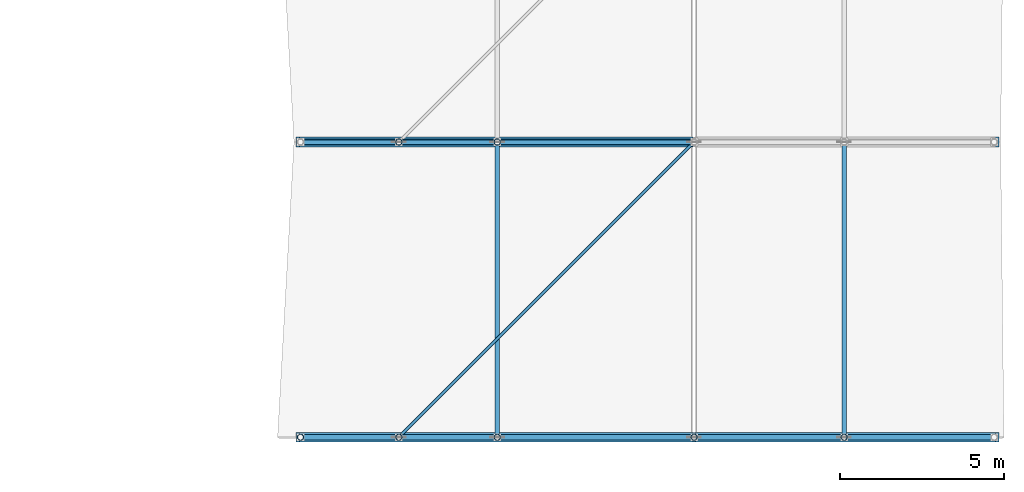
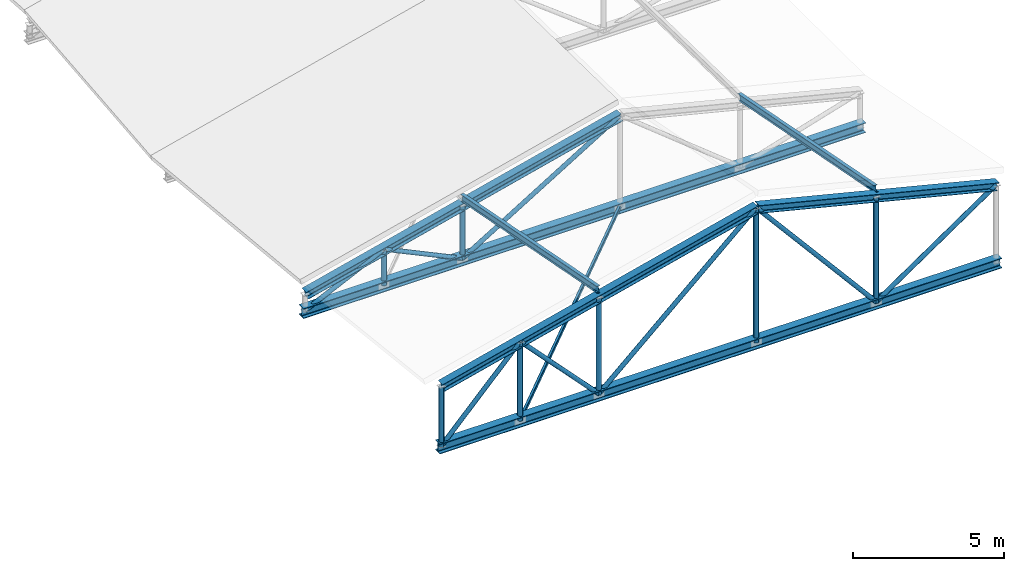
# One storey, part 11 of 33: 21 members, 2 beams.
"""IFC4 building model written with IfcOpenShell, lengths in metres."""

from ifc_helpers import new_model, si_unit, direction, frame, origin, origin_2d, place, context, subcontext, project, spatial, hollow_rectangle, hollow_circle, i_section, extrude, material, material_profile, profile_set, type_object, element, save


model = new_model("IFC4")

# Units and contexts
model_context = context("Model", 3, precision=1e-05, world=origin(), true_north=direction((0.0, 1.0)))
body_context = subcontext(model_context, "Body", "Model", "MODEL_VIEW")
ifc_project = project(units=[si_unit("LENGTHUNIT", "METRE"), si_unit("AREAUNIT", "SQUARE_METRE"), si_unit("VOLUMEUNIT", "CUBIC_METRE"), si_unit("PLANEANGLEUNIT", "RADIAN"), si_unit("MASSUNIT", "GRAM", prefix="KILO")], contexts=[model_context])

# Site, building, storey
site_placement = place(None, origin())
site = spatial("IfcSite", under=ifc_project, at=site_placement, CompositionType="ELEMENT")
building_placement = place(site_placement, origin())
building = spatial("IfcBuilding", under=site, at=building_placement, Name="Bozkorgan Art Gallery", CompositionType="ELEMENT")
storey_placement = place(building_placement, frame((0.0, 0.0, 19.5)))
storey = spatial("IfcBuildingStorey", under=building, at=storey_placement, Name="L04", CompositionType="ELEMENT", Elevation=19.5)

# Beams
ifc_material = material(Name="Steel S355J2", Category="steel")
ifc_material_profile_1 = material_profile(ifc_material, i_section(OverallWidth=0.300048828125, OverallDepth=0.39990234375, WebThickness=0.013427734375, FlangeThickness=0.02392578125, FilletRadius=0.027099609375, at=origin_2d()), Name="HEB 400")
ifc_profile_set_1 = profile_set([ifc_material_profile_1], Name="Steel S355J2")
beam_type = type_object("IfcBeamType", Name="BEAM-TO-32", PredefinedType="BEAM", material=ifc_profile_set_1)
for number, where, z_axis, x_axis, name in (
    (1, (142.860107421875, 2.0, 0.199951171875), (1.0, 0.0, 0.0), (0.0, 1.0, 0.0), "ROOF-V6-MAIN roof truss 1 bottom chord"),
    (2, (142.860107421875, 11.0, 0.199951171875), (1.0, 0.0, 0.0), (0.0, 1.0, 0.0), "ROOF-V6-MAIN roof truss 2 bottom chord"),
):
    element("IfcBeam", number, at=place(storey_placement, frame(where, z_axis=z_axis, x_axis=x_axis)), inside=storey, type_object=beam_type, Name=name, PredefinedType="BEAM", context=body_context, shape_type="SweptSolid", body=[
        extrude(i_section(OverallWidth=0.300048828125, OverallDepth=0.39990234375, WebThickness=0.013427734375, FlangeThickness=0.02392578125, FilletRadius=0.027099609375, at=origin_2d()), origin(), (0.0, 0.0, 1.0), 21.429931640625),
    ])

# Members
ifc_material_profile_2 = material_profile(ifc_material, i_section(OverallWidth=0.135009765625, OverallDepth=0.27001953125, WebThickness=0.006591796875, FlangeThickness=0.01025390625, FilletRadius=0.014892578125, at=origin_2d()), Name="IPE 270")
ifc_profile_set_2 = profile_set([ifc_material_profile_2], Name="Steel S355J2")
member_type_1 = type_object("IfcMemberType", Name="MEMBER-PR-57", PredefinedType="PURLIN", material=ifc_profile_set_2)
member_1_placement = place(storey_placement, frame((149.0, 2.0, 4.396240234375), z_axis=(0.0, 0.981849189394, -0.189663305059), x_axis=(-1.0, 0.0, 0.0)))
element("IfcMember", 3, at=member_1_placement, inside=storey, type_object=member_type_1, Name="ROOF-V6-MAIN roof purlin 1W", PredefinedType="PURLIN", context=body_context, shape_type="SweptSolid", body=[
    extrude(i_section(OverallWidth=0.135009765625, OverallDepth=0.27001953125, WebThickness=0.006591796875, FlangeThickness=0.01025390625, FilletRadius=0.014892578125, at=origin_2d()), origin(), (0.0, 0.0, 1.0), 9.166259765625),
])
member_2_placement = place(storey_placement, frame((159.574951171875, 2.0, 4.751708984375), z_axis=(0.0, 0.981844229212, -0.189688981132), x_axis=(-1.0, 0.0, 0.0)))
element("IfcMember", 4, at=member_2_placement, inside=storey, type_object=member_type_1, Name="ROOF-V6-MAIN roof purlin 1E", PredefinedType="PURLIN", context=body_context, shape_type="SweptSolid", body=[
    extrude(i_section(OverallWidth=0.135009765625, OverallDepth=0.27001953125, WebThickness=0.006591796875, FlangeThickness=0.01025390625, FilletRadius=0.014892578125, at=origin_2d()), origin(), (0.0, 0.0, 1.0), 9.16650390625),
])
ifc_material_profile_3 = material_profile(ifc_material, i_section(OverallWidth=0.300048828125, OverallDepth=0.31005859375, WebThickness=0.009033203125, FlangeThickness=0.015380859375, FilletRadius=0.027099609375, at=origin_2d()), Name="HEA 320")
ifc_profile_set_3 = profile_set([ifc_material_profile_3], Name="Steel S355J2")
member_type_2 = type_object("IfcMemberType", Name="MEMBER-TC-13", PredefinedType="CHORD", material=ifc_profile_set_3)
member_3_placement = place(storey_placement, frame((143.0, 2.0, 2.6103515625), z_axis=(0.970295587241, 0.0, 0.24192245324), x_axis=(0.0, 1.0, 0.0)))
element("IfcMember", 5, at=member_3_placement, inside=storey, type_object=member_type_2, Name="ROOF-V6-MAIN roof truss 1 west top chord", PredefinedType="CHORD", context=body_context, shape_type="SweptSolid", body=[
    extrude(i_section(OverallWidth=0.300048828125, OverallDepth=0.31005859375, WebThickness=0.009033203125, FlangeThickness=0.015380859375, FilletRadius=0.027099609375, at=origin_2d()), origin(), (0.0, 0.0, 1.0), 12.367431640625),
])
member_4_placement = place(storey_placement, frame((155.0, 2.0, 5.602294921875), z_axis=(0.970297639918, 0.0, -0.241914220273), x_axis=(0.0, 1.0, 0.0)))
element("IfcMember", 6, at=member_4_placement, inside=storey, type_object=member_type_2, Name="ROOF-V6-MAIN roof truss 1 east top chord", PredefinedType="CHORD", context=body_context, shape_type="SweptSolid", body=[
    extrude(i_section(OverallWidth=0.300048828125, OverallDepth=0.31005859375, WebThickness=0.009033203125, FlangeThickness=0.015380859375, FilletRadius=0.027099609375, at=origin_2d()), origin(), (0.0, 0.0, 1.0), 9.429931640625),
])
member_5_placement = place(storey_placement, frame((143.0, 11.0, 0.87158203125), z_axis=(0.970295587241, 0.0, 0.24192245324), x_axis=(0.0, 1.0, 0.0)))
element("IfcMember", 7, at=member_5_placement, inside=storey, type_object=member_type_2, Name="ROOF-V6-MAIN roof truss 2 west top chord", PredefinedType="CHORD", context=body_context, shape_type="SweptSolid", body=[
    extrude(i_section(OverallWidth=0.300048828125, OverallDepth=0.31005859375, WebThickness=0.009033203125, FlangeThickness=0.015380859375, FilletRadius=0.027099609375, at=origin_2d()), origin(), (0.0, 0.0, 1.0), 12.367431640625),
])
ifc_material_profile_4 = material_profile(ifc_material, hollow_circle(Radius=0.096923828125, WallThickness=0.008056640625, at=origin_2d()), Name="CHS 193.7x8")
ifc_profile_set_4 = profile_set([ifc_material_profile_4], Name="Steel S355J2")
member_type_3 = type_object("IfcMemberType", Name="MEMBER-TP-46", PredefinedType="POST", material=ifc_profile_set_4)
member_6_placement = place(storey_placement, frame((143.0, 2.0, 0.199951171875), z_axis=(0.0, 0.0, 1.0), x_axis=(1.0, 0.0, 0.0)))
element("IfcMember", 8, at=member_6_placement, inside=storey, type_object=member_type_3, Name="ROOF-V6-MAIN roof truss 1 post 0", PredefinedType="POST", context=body_context, shape_type="SweptSolid", body=[
    extrude(hollow_circle(Radius=0.096923828125, WallThickness=0.008056640625, at=origin_2d()), origin(), (0.0, 0.0, 1.0), 2.410400390625),
])
member_7_placement = place(storey_placement, frame((146.0, 2.0, 0.199951171875), z_axis=(0.0, 0.0, 1.0), x_axis=(1.0, 0.0, 0.0)))
element("IfcMember", 9, at=member_7_placement, inside=storey, type_object=member_type_3, Name="ROOF-V6-MAIN roof truss 1 post 1", PredefinedType="POST", context=body_context, shape_type="SweptSolid", body=[
    extrude(hollow_circle(Radius=0.096923828125, WallThickness=0.008056640625, at=origin_2d()), origin(), (0.0, 0.0, 1.0), 3.158447265625),
])
member_8_placement = place(storey_placement, frame((149.0, 2.0, 0.199951171875), z_axis=(0.0, 0.0, 1.0), x_axis=(1.0, 0.0, 0.0)))
element("IfcMember", 10, at=member_8_placement, inside=storey, type_object=member_type_3, Name="ROOF-V6-MAIN roof truss 1 post 2", PredefinedType="POST", context=body_context, shape_type="SweptSolid", body=[
    extrude(hollow_circle(Radius=0.096923828125, WallThickness=0.008056640625, at=origin_2d()), origin(), (0.0, 0.0, 1.0), 3.90625),
])
member_9_placement = place(storey_placement, frame((155.0, 2.0, 0.199951171875), z_axis=(0.0, 0.0, 1.0), x_axis=(1.0, 0.0, 0.0)))
element("IfcMember", 11, at=member_9_placement, inside=storey, type_object=member_type_3, Name="ROOF-V6-MAIN roof truss 1 post 3", PredefinedType="POST", context=body_context, shape_type="SweptSolid", body=[
    extrude(hollow_circle(Radius=0.096923828125, WallThickness=0.008056640625, at=origin_2d()), origin(), (0.0, 0.0, 1.0), 5.40234375),
])
member_10_placement = place(storey_placement, frame((159.574951171875, 2.0, 0.199951171875), z_axis=(0.0, 0.0, 1.0), x_axis=(1.0, 0.0, 0.0)))
element("IfcMember", 12, at=member_10_placement, inside=storey, type_object=member_type_3, Name="ROOF-V6-MAIN roof truss 1 post 4", PredefinedType="POST", context=body_context, shape_type="SweptSolid", body=[
    extrude(hollow_circle(Radius=0.096923828125, WallThickness=0.008056640625, at=origin_2d()), origin(), (0.0, 0.0, 1.0), 4.26171875),
])
member_11_placement = place(storey_placement, frame((146.0, 11.0, 0.199951171875), z_axis=(0.0, 0.0, 1.0), x_axis=(1.0, 0.0, 0.0)))
element("IfcMember", 13, at=member_11_placement, inside=storey, type_object=member_type_3, Name="ROOF-V6-MAIN roof truss 2 post 1", PredefinedType="POST", context=body_context, shape_type="SweptSolid", body=[
    extrude(hollow_circle(Radius=0.096923828125, WallThickness=0.008056640625, at=origin_2d()), origin(), (0.0, 0.0, 1.0), 1.419677734375),
])
member_12_placement = place(storey_placement, frame((149.0, 11.0, 0.199951171875), z_axis=(0.0, 0.0, 1.0), x_axis=(1.0, 0.0, 0.0)))
element("IfcMember", 14, at=member_12_placement, inside=storey, type_object=member_type_3, Name="ROOF-V6-MAIN roof truss 2 post 2", PredefinedType="POST", context=body_context, shape_type="SweptSolid", body=[
    extrude(hollow_circle(Radius=0.096923828125, WallThickness=0.008056640625, at=origin_2d()), origin(), (0.0, 0.0, 1.0), 2.167724609375),
])
ifc_material_profile_5 = material_profile(ifc_material, hollow_circle(Radius=0.084228515625, WallThickness=0.008056640625, at=origin_2d()), Name="CHS 168.3x8")
ifc_profile_set_5 = profile_set([ifc_material_profile_5], Name="Steel S355J2")
member_type_4 = type_object("IfcMemberType", Name="MEMBER-TW-40", PredefinedType="BRACE", material=ifc_profile_set_5)
for number, where, z_axis, x_axis, name in (
    (15, (143.0, 2.0, 0.199951171875), (0.688686122806, 0.0, 0.725059600484), (0.0, 1.0, 0.0), "ROOF-V6-MAIN roof truss 1 diagonal 1"),
    (16, (146.0, 2.0, 3.3583984375), (0.688686122806, 0.0, -0.725059600484), (0.0, 1.0, 0.0), "ROOF-V6-MAIN roof truss 1 diagonal 2"),
):
    element("IfcMember", number, at=place(storey_placement, frame(where, z_axis=z_axis, x_axis=x_axis)), inside=storey, type_object=member_type_4, Name=name, PredefinedType="BRACE", context=body_context, shape_type="SweptSolid", body=[
        extrude(hollow_circle(Radius=0.084228515625, WallThickness=0.008056640625, at=origin_2d()), origin(), (0.0, 0.0, 1.0), 4.356201171875),
    ])
member_13_placement = place(storey_placement, frame((149.0, 2.0, 0.199951171875), z_axis=(0.743149784416, 0.0, 0.669125098859), x_axis=(0.0, 1.0, 0.0)))
element("IfcMember", 17, at=member_13_placement, inside=storey, type_object=member_type_4, Name="ROOF-V6-MAIN roof truss 1 diagonal 3", PredefinedType="BRACE", context=body_context, shape_type="SweptSolid", body=[
    extrude(hollow_circle(Radius=0.084228515625, WallThickness=0.008056640625, at=origin_2d()), origin(), (0.0, 0.0, 1.0), 8.07373046875),
])
member_14_placement = place(storey_placement, frame((155.0, 2.0, 5.602294921875), z_axis=(0.646249835857, 0.0, -0.763125906817), x_axis=(0.0, 1.0, 0.0)))
element("IfcMember", 18, at=member_14_placement, inside=storey, type_object=member_type_4, Name="ROOF-V6-MAIN roof truss 1 diagonal 4", PredefinedType="BRACE", context=body_context, shape_type="SweptSolid", body=[
    extrude(hollow_circle(Radius=0.084228515625, WallThickness=0.008056640625, at=origin_2d()), origin(), (0.0, 0.0, 1.0), 7.079345703125),
])
member_15_placement = place(storey_placement, frame((159.574951171875, 2.0, 0.199951171875), z_axis=(0.82607529093, 0.0, 0.563559769425), x_axis=(0.0, 1.0, 0.0)))
element("IfcMember", 19, at=member_15_placement, inside=storey, type_object=member_type_4, Name="ROOF-V6-MAIN roof truss 1 diagonal 5", PredefinedType="BRACE", context=body_context, shape_type="SweptSolid", body=[
    extrude(hollow_circle(Radius=0.084228515625, WallThickness=0.008056640625, at=origin_2d()), origin(), (0.0, 0.0, 1.0), 5.5380859375),
])
for number, where, z_axis, x_axis, name in (
    (20, (143.0, 11.0, 0.199951171875), (0.903898041878, 0.0, 0.427747974733), (0.0, 1.0, 0.0), "ROOF-V6-MAIN roof truss 2 diagonal 1"),
    (21, (146.0, 11.0, 1.61962890625), (0.903898041878, 0.0, -0.427747974733), (0.0, 1.0, 0.0), "ROOF-V6-MAIN roof truss 2 diagonal 2"),
):
    element("IfcMember", number, at=place(storey_placement, frame(where, z_axis=z_axis, x_axis=x_axis)), inside=storey, type_object=member_type_4, Name=name, PredefinedType="BRACE", context=body_context, shape_type="SweptSolid", body=[
        extrude(hollow_circle(Radius=0.084228515625, WallThickness=0.008056640625, at=origin_2d()), origin(), (0.0, 0.0, 1.0), 3.31884765625),
    ])
member_16_placement = place(storey_placement, frame((149.0, 11.0, 0.199951171875), z_axis=(0.853477499489, 0.0, 0.521129693902), x_axis=(0.0, 1.0, 0.0)))
element("IfcMember", 22, at=member_16_placement, inside=storey, type_object=member_type_4, Name="ROOF-V6-MAIN roof truss 2 diagonal 3", PredefinedType="BRACE", context=body_context, shape_type="SweptSolid", body=[
    extrude(hollow_circle(Radius=0.084228515625, WallThickness=0.008056640625, at=origin_2d()), origin(), (0.0, 0.0, 1.0), 7.030029296875),
])
ifc_material_profile_6 = material_profile(ifc_material, hollow_rectangle(XDim=0.10009765625, YDim=0.14990234375, WallThickness=0.008056640625, InnerFilletRadius=0.011962890625, OuterFilletRadius=0.02001953125, at=origin_2d()), Name="RHS 150x100x8")
ifc_profile_set_6 = profile_set([ifc_material_profile_6], Name="Steel S355J2")
member_type_5 = type_object("IfcMemberType", Name="MEMBER-WB-10", PredefinedType="BRACE", material=ifc_profile_set_6)
member_17_placement = place(storey_placement, frame((146.0, 2.0, 0.199951171875), z_axis=(0.707106781187, 0.707106781187, 0.0), x_axis=(-0.707106781187, 0.707106781187, 0.0)))
element("IfcMember", 23, at=member_17_placement, inside=storey, type_object=member_type_5, Name="ROOF-V6-MAIN roof diaphragm wind brace 1", PredefinedType="BRACE", context=body_context, shape_type="SweptSolid", body=[
    extrude(hollow_rectangle(XDim=0.10009765625, YDim=0.14990234375, WallThickness=0.008056640625, InnerFilletRadius=0.011962890625, OuterFilletRadius=0.02001953125, at=origin_2d()), origin(), (0.0, 0.0, 1.0), 12.72802734375),
])

save(model, "model.ifc")
